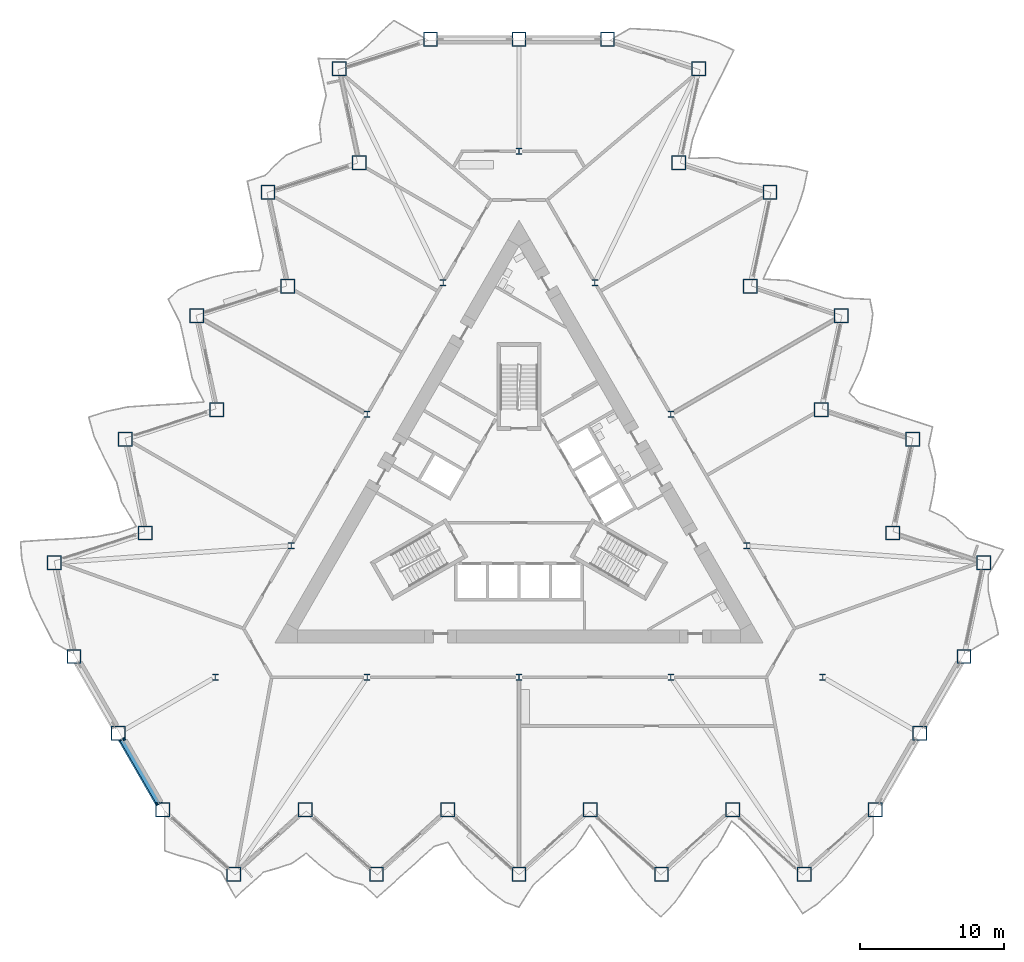
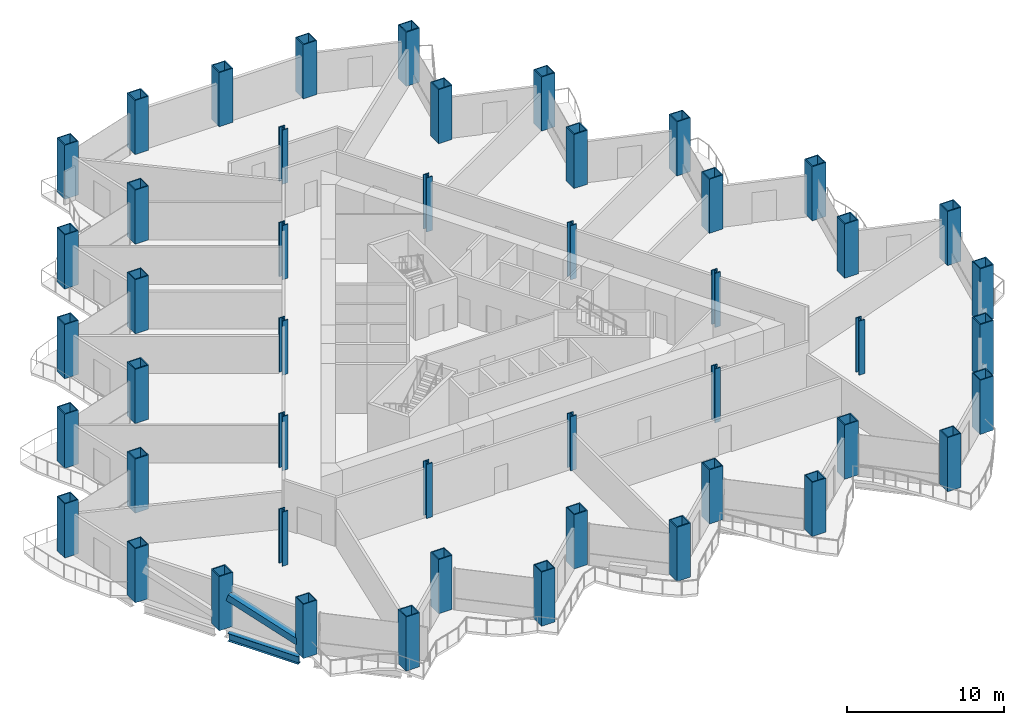
# One storey, part 1 of 21: 48 columns, 1 beam, 1 member.
"""IFC4 building model written with IfcOpenShell, lengths in metres."""

from ifc_helpers import new_model, si_unit, direction, frame, origin, origin_2d, place, context, subcontext, project, spatial, hollow_rectangle, i_section, extrude, material, material_profile, profile_set, type_object, element, save


model = new_model("IFC4")

# Units and contexts
model_context = context("Model", 3, precision=1e-05, world=origin(), true_north=direction((0.0, 1.0)))
body_context = subcontext(model_context, "Body", "Model", "MODEL_VIEW")
ifc_project = project(units=[si_unit("LENGTHUNIT", "METRE"), si_unit("AREAUNIT", "SQUARE_METRE"), si_unit("VOLUMEUNIT", "CUBIC_METRE"), si_unit("PLANEANGLEUNIT", "RADIAN"), si_unit("MASSUNIT", "GRAM", prefix="KILO")], contexts=[model_context])

# Site, building, storey
site_placement = place(None, origin())
site = spatial("IfcSite", under=ifc_project, at=site_placement, CompositionType="ELEMENT")
building_placement = place(site_placement, origin())
building = spatial("IfcBuilding", under=site, at=building_placement, Name="Cormorant Prow Tower", CompositionType="ELEMENT")
storey_placement = place(building_placement, frame((0.0, 0.0, 80.39990234375)))
storey = spatial("IfcBuildingStorey", under=building, at=storey_placement, Name="L17", CompositionType="ELEMENT", Elevation=80.39990234375)

# Columns
ifc_material_1 = material(Name="Structural steel ASTM A572 Gr 50", Category="steel")
ifc_material_profile_1 = material_profile(ifc_material_1, hollow_rectangle(XDim=1.0, YDim=1.0, WallThickness=0.070068359375, at=origin_2d()), Name="Box 1000x1000x70")
ifc_profile_set_1 = profile_set([ifc_material_profile_1], Name="Structural steel ASTM A572 Gr 50")
column_type_1 = type_object("IfcColumnType", Name="Perimeter box column 1000x1000x70", PredefinedType="COLUMN", material=ifc_profile_set_1)
for number, where, z_axis, x_axis, name in (
    (1, (-24.830322265625, -21.4599609375, 0.0), (0.0, 0.0, 1.0), (1.0, 0.0, 0.0), "Perimeter column C2 at S00 L17"),
    (2, (-19.8642578125, -25.931396484375, 0.0), (0.0, 0.0, 1.0), (1.0, 0.0, 0.0), "Perimeter column C2 at S01 L17"),
    (3, (-14.898193359375, -21.4599609375, 0.0), (0.0, 0.0, 1.0), (1.0, 0.0, 0.0), "Perimeter column C2 at S02 L17"),
    (4, (-9.93212890625, -25.931396484375, 0.0), (0.0, 0.0, 1.0), (1.0, 0.0, 0.0), "Perimeter column C2 at S03 L17"),
    (5, (-4.966064453125, -21.4599609375, 0.0), (0.0, 0.0, 1.0), (1.0, 0.0, 0.0), "Perimeter column C2 at S04 L17"),
    (6, (0.0, -25.931396484375, 0.0), (0.0, 0.0, 1.0), (1.0, 0.0, 0.0), "Perimeter column C2 at S05 L17"),
    (7, (4.966064453125, -21.4599609375, 0.0), (0.0, 0.0, 1.0), (1.0, 0.0, 0.0), "Perimeter column C2 at S06 L17"),
    (8, (9.93212890625, -25.931396484375, 0.0), (0.0, 0.0, 1.0), (1.0, 0.0, 0.0), "Perimeter column C2 at S07 L17"),
    (9, (14.898193359375, -21.4599609375, 0.0), (0.0, 0.0, 1.0), (1.0, 0.0, 0.0), "Perimeter column C2 at S08 L17"),
    (10, (19.8642578125, -25.931396484375, 0.0), (0.0, 0.0, 1.0), (1.0, 0.0, 0.0), "Perimeter column C2 at S09 L17"),
    (11, (24.830322265625, -21.4599609375, 0.0), (0.0, 0.0, 1.0), (1.0, 0.0, 0.0), "Perimeter column C2 at ESE00 L17"),
    (12, (27.915283203125, -16.116943359375, 0.0), (0.0, 0.0, 1.0), (1.0, 0.0, 0.0), "Perimeter column C2 at ESE01 L17"),
    (13, (31.0, -10.773681640625, 0.0), (0.0, 0.0, 1.0), (1.0, 0.0, 0.0), "Perimeter column C2 at ENE00 L17"),
    (14, (32.389404296875, -4.2373046875, 0.0), (0.0, 0.0, 1.0), (1.0, 0.0, 0.0), "Perimeter column C2 at ENE01 L17"),
    (15, (26.033935546875, -2.17236328125, 0.0), (0.0, 0.0, 1.0), (1.0, 0.0, 0.0), "Perimeter column C2 at ENE02 L17"),
    (16, (27.42333984375, 4.3642578125, 0.0), (0.0, 0.0, 1.0), (1.0, 0.0, 0.0), "Perimeter column C2 at ENE03 L17"),
    (17, (21.06787109375, 6.42919921875, 0.0), (0.0, 0.0, 1.0), (1.0, 0.0, 0.0), "Perimeter column C2 at ENE04 L17"),
    (18, (22.457275390625, 12.965576171875, 0.0), (0.0, 0.0, 1.0), (1.0, 0.0, 0.0), "Perimeter column C2 at ENE05 L17"),
    (19, (16.101806640625, 15.03076171875, 0.0), (0.0, 0.0, 1.0), (1.0, 0.0, 0.0), "Perimeter column C2 at ENE06 L17"),
    (20, (17.4912109375, 21.567138671875, 0.0), (0.0, 0.0, 1.0), (1.0, 0.0, 0.0), "Perimeter column C2 at ENE07 L17"),
    (21, (11.1357421875, 23.632080078125, 0.0), (0.0, 0.0, 1.0), (1.0, 0.0, 0.0), "Perimeter column C2 at ENE08 L17"),
    (22, (12.525146484375, 30.168701171875, 0.0), (0.0, 0.0, 1.0), (1.0, 0.0, 0.0), "Perimeter column C2 at ENE09 L17"),
    (23, (6.169677734375, 32.233642578125, 0.0), (0.0, 0.0, 1.0), (1.0, 0.0, 0.0), "Perimeter column C2 at N00 L17"),
    (24, (0.0, 32.233642578125, 0.0), (0.0, 0.0, 1.0), (1.0, 0.0, 0.0), "Perimeter column C2 at N01 L17"),
    (25, (-6.169677734375, 32.233642578125, 0.0), (0.0, 0.0, 1.0), (1.0, 0.0, 0.0), "Perimeter column C2 at WNW00 L17"),
    (26, (-12.525146484375, 30.168701171875, 0.0), (0.0, 0.0, 1.0), (1.0, 0.0, 0.0), "Perimeter column C2 at WNW01 L17"),
    (27, (-11.1357421875, 23.632080078125, 0.0), (0.0, 0.0, 1.0), (1.0, 0.0, 0.0), "Perimeter column C2 at WNW02 L17"),
    (28, (-17.4912109375, 21.567138671875, 0.0), (0.0, 0.0, 1.0), (1.0, 0.0, 0.0), "Perimeter column C2 at WNW03 L17"),
    (29, (-16.101806640625, 15.03076171875, 0.0), (0.0, 0.0, 1.0), (1.0, 0.0, 0.0), "Perimeter column C2 at WNW04 L17"),
    (30, (-22.457275390625, 12.965576171875, 0.0), (0.0, 0.0, 1.0), (1.0, 0.0, 0.0), "Perimeter column C2 at WNW05 L17"),
    (31, (-21.06787109375, 6.42919921875, 0.0), (0.0, 0.0, 1.0), (1.0, 0.0, 0.0), "Perimeter column C2 at WNW06 L17"),
    (32, (-27.42333984375, 4.3642578125, 0.0), (0.0, 0.0, 1.0), (1.0, 0.0, 0.0), "Perimeter column C2 at WNW07 L17"),
    (33, (-26.033935546875, -2.17236328125, 0.0), (0.0, 0.0, 1.0), (1.0, 0.0, 0.0), "Perimeter column C2 at WNW08 L17"),
    (34, (-32.389404296875, -4.2373046875, 0.0), (0.0, 0.0, 1.0), (1.0, 0.0, 0.0), "Perimeter column C2 at WNW09 L17"),
    (35, (-31.0, -10.773681640625, 0.0), (0.0, 0.0, 1.0), (1.0, 0.0, 0.0), "Perimeter column C2 at WSW00 L17"),
    (36, (-27.915283203125, -16.116943359375, 0.0), (0.0, 0.0, 1.0), (1.0, 0.0, 0.0), "Perimeter column C2 at WSW01 L17"),
):
    element("IfcColumn", number, at=place(storey_placement, frame(where, z_axis=z_axis, x_axis=x_axis)), inside=storey, type_object=column_type_1, Name=name, PredefinedType="COLUMN", context=body_context, shape_type="SweptSolid", body=[
        extrude(hollow_rectangle(XDim=1.0, YDim=1.0, WallThickness=0.070068359375, at=origin_2d()), origin(), (0.0, 0.0, 1.0), 4.2001953125),
    ])
ifc_material_2 = material(Name="Structural steel ASTM A992 Gr 50", Category="steel")
ifc_material_profile_2 = material_profile(ifc_material_2, i_section(OverallWidth=0.42138671875, OverallDepth=0.464599609375, WebThickness=0.044921875, FlangeThickness=0.072265625, at=origin_2d()), Name="W14x398")
ifc_profile_set_2 = profile_set([ifc_material_profile_2], Name="Structural steel ASTM A992 Gr 50")
column_type_2 = type_object("IfcColumnType", Name="Ring column W14x398", PredefinedType="COLUMN", material=ifc_profile_set_2)
for number, where, z_axis, x_axis, name in (
    (37, (0.0, 24.429931640625, 0.0), (0.0, 0.0, 1.0), (1.0, 0.0, 0.0), "Ring column 1 L17"),
    (38, (-5.289306640625, 15.268798828125, 0.0), (0.0, 0.0, 1.0), (1.0, 0.0, 0.0), "Ring column 2 L17"),
    (39, (-10.578369140625, 6.107421875, 0.0), (0.0, 0.0, 1.0), (1.0, 0.0, 0.0), "Ring column 3 L17"),
    (40, (-15.86767578125, -3.0537109375, 0.0), (0.0, 0.0, 1.0), (1.0, 0.0, 0.0), "Ring column 4 L17"),
    (41, (-21.156982421875, -12.21484375, 0.0), (0.0, 0.0, 1.0), (1.0, 0.0, 0.0), "Ring column 5 L17"),
    (42, (-10.578369140625, -12.21484375, 0.0), (0.0, 0.0, 1.0), (1.0, 0.0, 0.0), "Ring column 6 L17"),
    (43, (0.0, -12.21484375, 0.0), (0.0, 0.0, 1.0), (1.0, 0.0, 0.0), "Ring column 7 L17"),
    (44, (10.578369140625, -12.21484375, 0.0), (0.0, 0.0, 1.0), (1.0, 0.0, 0.0), "Ring column 8 L17"),
    (45, (21.156982421875, -12.21484375, 0.0), (0.0, 0.0, 1.0), (1.0, 0.0, 0.0), "Ring column 9 L17"),
    (46, (15.86767578125, -3.0537109375, 0.0), (0.0, 0.0, 1.0), (1.0, 0.0, 0.0), "Ring column 10 L17"),
    (47, (10.578369140625, 6.107421875, 0.0), (0.0, 0.0, 1.0), (1.0, 0.0, 0.0), "Ring column 11 L17"),
    (48, (5.289306640625, 15.268798828125, 0.0), (0.0, 0.0, 1.0), (1.0, 0.0, 0.0), "Ring column 12 L17"),
):
    element("IfcColumn", number, at=place(storey_placement, frame(where, z_axis=z_axis, x_axis=x_axis)), inside=storey, type_object=column_type_2, Name=name, PredefinedType="COLUMN", context=body_context, shape_type="SweptSolid", body=[
        extrude(i_section(OverallWidth=0.42138671875, OverallDepth=0.464599609375, WebThickness=0.044921875, FlangeThickness=0.072265625, at=origin_2d()), origin(), (0.0, 0.0, 1.0), 4.2001953125),
    ])

# Member
ifc_material_3 = material(Name="Structural steel ASTM A500 Gr C", Category="steel")
ifc_material_profile_3 = material_profile(ifc_material_3, hollow_rectangle(XDim=0.508056640625, YDim=0.508056640625, WallThickness=0.014892578125, at=origin_2d()), Name="HSS20x20x5/8")
ifc_profile_set_3 = profile_set([ifc_material_profile_3], Name="Structural steel ASTM A500 Gr C")
member_type = type_object("IfcMemberType", Name="Chamfer brace HSS20x20x5/8", PredefinedType="BRACE", material=ifc_profile_set_3)
member_placement = place(storey_placement, frame((-25.089599609375, -21.0107421875, 0.767333984375), z_axis=(-0.47589308504, 0.824244468952, 0.306833549359), x_axis=(-0.866018434186, -0.500012071504, 0.0)))
element("IfcMember", 49, at=member_placement, inside=storey, type_object=member_type, Name="Chamfer brace BR1 at WSW01 L17", PredefinedType="BRACE", context=body_context, shape_type="SweptSolid", body=[
    extrude(hollow_rectangle(XDim=0.508056640625, YDim=0.508056640625, WallThickness=0.014892578125, at=origin_2d()), origin(), (0.0, 0.0, 1.0), 5.392333984375),
])

# Beam
ifc_material_4 = material(Name="Structural steel ASTM A992 Gr 50", Category="steel")
ifc_material_profile_4 = material_profile(ifc_material_4, i_section(OverallWidth=0.32373046875, OverallDepth=0.611083984375, WebThickness=0.0126953125, FlangeThickness=0.01904296875, at=origin_2d()), Name="W24x104")
ifc_profile_set_4 = profile_set([ifc_material_profile_4], Name="Structural steel ASTM A992 Gr 50")
beam_type = type_object("IfcBeamType", Name="Spandrel beam W24x104", PredefinedType="SPANDREL", material=ifc_profile_set_4)
beam_placement = place(storey_placement, frame((-27.665283203125, -16.5498046875, -0.70556640625), z_axis=(0.500019507279, -0.866014140959, 0.0), x_axis=(0.866014140959, 0.500019507279, 0.0)))
element("IfcBeam", 50, at=beam_placement, inside=storey, type_object=beam_type, Name="Spandrel beam SB1 WSW01-S00 L17", PredefinedType="SPANDREL", context=body_context, shape_type="SweptSolid", body=[
    extrude(i_section(OverallWidth=0.32373046875, OverallDepth=0.611083984375, WebThickness=0.0126953125, FlangeThickness=0.01904296875, at=origin_2d()), origin(), (0.0, 0.0, 1.0), 5.169677734375),
])

save(model, "model.ifc")
